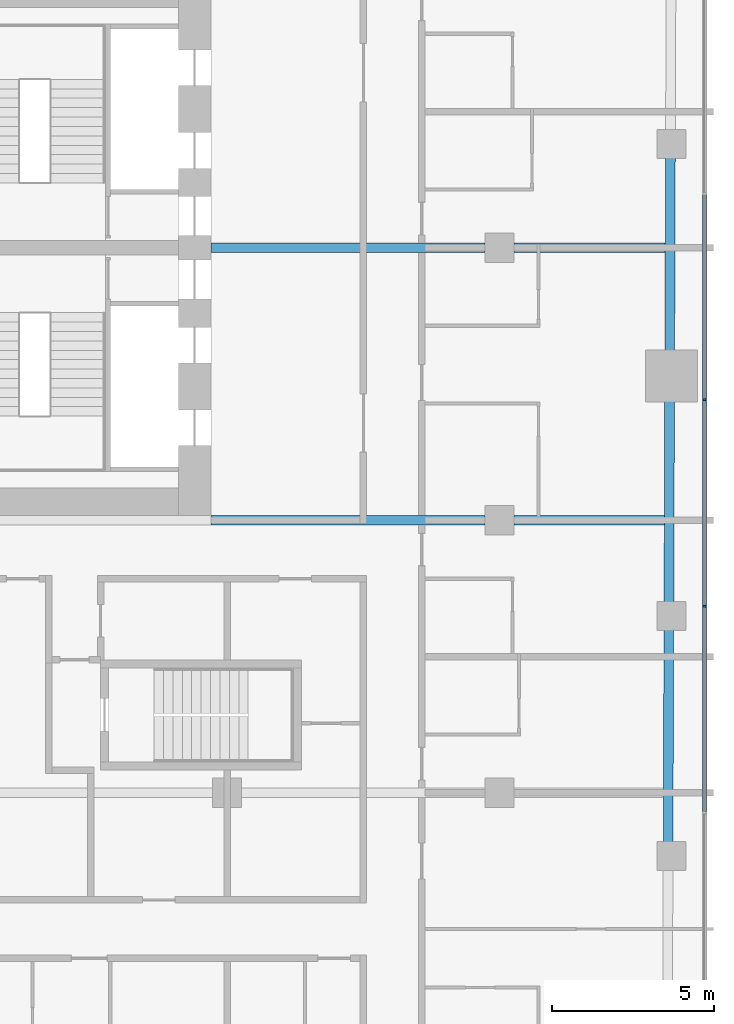
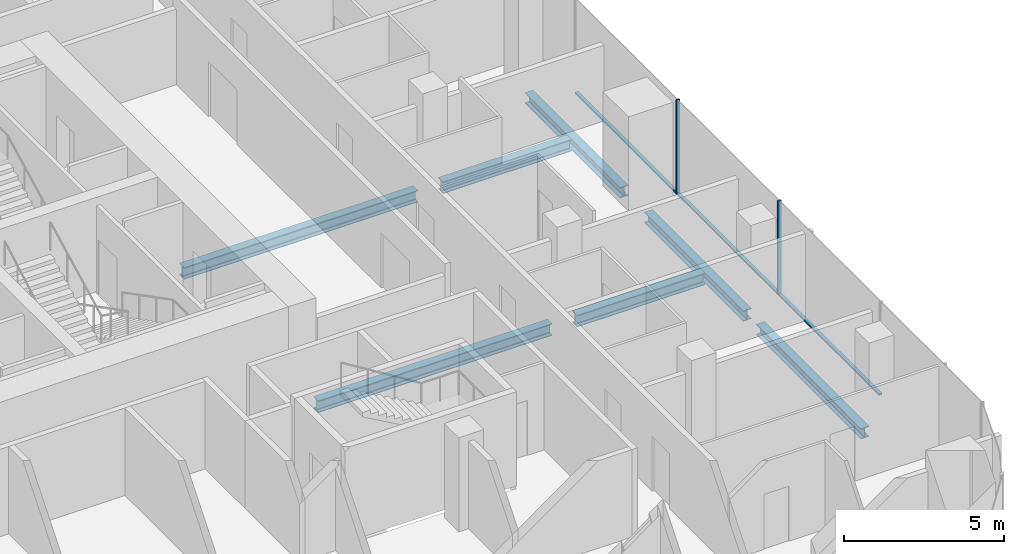
# One storey, part 7 of 23: 7 beams, 5 members, 1 element without a shape of its own.
"""IFC4 building model written with IfcOpenShell, lengths in metres."""

from ifc_helpers import new_model, si_unit, direction, frame, origin, origin_2d, place, context, subcontext, project, spatial, rectangle, i_section, extrude, material, layer, layer_set, material_profile, profile_set, type_object, element, aggregate, save


model = new_model("IFC4")

# Units and contexts
model_context = context("Model", 3, precision=1e-05, world=origin(), true_north=direction((0.0, 1.0)))
body_context = subcontext(model_context, "Body", "Model", "MODEL_VIEW")
ifc_project = project(units=[si_unit("LENGTHUNIT", "METRE"), si_unit("AREAUNIT", "SQUARE_METRE"), si_unit("VOLUMEUNIT", "CUBIC_METRE"), si_unit("PLANEANGLEUNIT", "RADIAN"), si_unit("MASSUNIT", "GRAM", prefix="KILO")], contexts=[model_context])

# Site, building, storey
site_placement = place(None, origin())
site = spatial("IfcSite", under=ifc_project, at=site_placement, CompositionType="ELEMENT")
building_placement = place(site_placement, origin())
building = spatial("IfcBuilding", under=site, at=building_placement, Name="Marenta Gate Hotel Tower", CompositionType="ELEMENT")
storey_placement = place(building_placement, frame((0.0, 0.0, 126.5)))
storey = spatial("IfcBuildingStorey", under=building, at=storey_placement, Name="L28", CompositionType="ELEMENT", Elevation=126.5)

# Beams
ifc_material_1 = material(Name="Steel S355", Category="steel")
ifc_material_profile_1 = material_profile(ifc_material_1, i_section(OverallWidth=0.300048828125, OverallDepth=0.39990234375, WebThickness=0.013427734375, FlangeThickness=0.02392578125, FilletRadius=0.027099609375, at=origin_2d()), Name="HEB 400")
ifc_profile_set_1 = profile_set([ifc_material_profile_1], Name="Steel S355")
beam_type_1 = type_object("IfcBeamType", Name="Edge beam HEB 400", PredefinedType="SPANDREL", material=ifc_profile_set_1)
beam_1_placement = place(storey_placement, frame((26.26416015625, 11.193115234375, -0.4599609375), z_axis=(-0.003305160059, -0.999994537944, 0.0), x_axis=(0.999994537944, -0.003305160059, 0.0)))
element("IfcBeam", 1, at=beam_1_placement, inside=storey, type_object=beam_type_1, Name="L28-EB-24", PredefinedType="SPANDREL", context=body_context, shape_type="SweptSolid", body=[
    extrude(i_section(OverallWidth=0.300048828125, OverallDepth=0.39990234375, WebThickness=0.013427734375, FlangeThickness=0.02392578125, FilletRadius=0.027099609375, at=origin_2d()), origin(), (0.0, 0.0, 1.0), 5.983154296875),
])
beam_2_placement = place(storey_placement, frame((26.2392578125, 3.68994140625, -0.4599609375), z_axis=(-0.003330441525, -0.999994454064, 0.0), x_axis=(0.999994454064, -0.003330441525, 0.0)))
element("IfcBeam", 2, at=beam_2_placement, inside=storey, type_object=beam_type_1, Name="L28-EB-25", PredefinedType="SPANDREL", context=body_context, shape_type="SweptSolid", body=[
    extrude(i_section(OverallWidth=0.300048828125, OverallDepth=0.39990234375, WebThickness=0.013427734375, FlangeThickness=0.02392578125, FilletRadius=0.027099609375, at=origin_2d()), origin(), (0.0, 0.0, 1.0), 6.23095703125),
])
beam_3_placement = place(storey_placement, frame((26.2158203125, -3.36083984375, -0.4599609375), z_axis=(-0.00333875569, -0.99999442634, 0.0), x_axis=(0.99999442634, -0.00333875569, 0.0)))
element("IfcBeam", 3, at=beam_3_placement, inside=storey, type_object=beam_type_1, Name="L28-EB-26", PredefinedType="SPANDREL", context=body_context, shape_type="SweptSolid", body=[
    extrude(i_section(OverallWidth=0.300048828125, OverallDepth=0.39990234375, WebThickness=0.013427734375, FlangeThickness=0.02392578125, FilletRadius=0.027099609375, at=origin_2d()), origin(), (0.0, 0.0, 1.0), 6.5810546875),
])
ifc_material_2 = material(Name="Steel S355", Category="steel")
ifc_material_profile_2 = material_profile(ifc_material_2, i_section(OverallWidth=0.300048828125, OverallDepth=0.449951171875, WebThickness=0.013916015625, FlangeThickness=0.02587890625, FilletRadius=0.027099609375, at=origin_2d()), Name="HEB 450")
ifc_profile_set_2 = profile_set([ifc_material_profile_2], Name="Steel S355")
beam_type_2 = type_object("IfcBeamType", Name="Girder HEB 450", PredefinedType="BEAM", material=ifc_profile_set_2)
beam_4_placement = place(storey_placement, frame((12.10009765625, 0.0, -0.485107421875), z_axis=(1.0, 0.0, 0.0), x_axis=(0.0, 1.0, 0.0)))
element("IfcBeam", 4, at=beam_4_placement, inside=storey, type_object=beam_type_2, Name="L28-GD-18", PredefinedType="BEAM", context=body_context, shape_type="SweptSolid", body=[
    extrude(i_section(OverallWidth=0.300048828125, OverallDepth=0.449951171875, WebThickness=0.013916015625, FlangeThickness=0.02587890625, FilletRadius=0.027099609375, at=origin_2d()), origin(), (0.0, 0.0, 1.0), 8.449951171875),
])
beam_5_placement = place(storey_placement, frame((21.449951171875, 0.0, -0.485107421875), z_axis=(1.0, 0.0, 0.0), x_axis=(0.0, 1.0, 0.0)))
element("IfcBeam", 5, at=beam_5_placement, inside=storey, type_object=beam_type_2, Name="L28-GD-19", PredefinedType="BEAM", context=body_context, shape_type="SweptSolid", body=[
    extrude(i_section(OverallWidth=0.300048828125, OverallDepth=0.449951171875, WebThickness=0.013916015625, FlangeThickness=0.02587890625, FilletRadius=0.027099609375, at=origin_2d()), origin(), (0.0, 0.0, 1.0), 4.626953125),
])
beam_6_placement = place(storey_placement, frame((12.10009765625, 8.39990234375, -0.485107421875), z_axis=(1.0, 0.0, 0.0), x_axis=(0.0, 1.0, 0.0)))
element("IfcBeam", 6, at=beam_6_placement, inside=storey, type_object=beam_type_2, Name="L28-GD-22", PredefinedType="BEAM", context=body_context, shape_type="SweptSolid", body=[
    extrude(i_section(OverallWidth=0.300048828125, OverallDepth=0.449951171875, WebThickness=0.013916015625, FlangeThickness=0.02587890625, FilletRadius=0.027099609375, at=origin_2d()), origin(), (0.0, 0.0, 1.0), 8.449951171875),
])
beam_7_placement = place(storey_placement, frame((21.449951171875, 8.39990234375, -0.485107421875), z_axis=(1.0, 0.0, 0.0), x_axis=(0.0, 1.0, 0.0)))
element("IfcBeam", 7, at=beam_7_placement, inside=storey, type_object=beam_type_2, Name="L28-GD-23", PredefinedType="BEAM", context=body_context, shape_type="SweptSolid", body=[
    extrude(i_section(OverallWidth=0.300048828125, OverallDepth=0.449951171875, WebThickness=0.013916015625, FlangeThickness=0.02587890625, FilletRadius=0.027099609375, at=origin_2d()), origin(), (0.0, 0.0, 1.0), 4.655029296875),
])

# Curtain wall, members
ifc_material_3 = material(Name="Tinted insulated glass in bronze anodised frame", Category="glass")
ifc_layer = layer(ifc_material_3, 0.1201171875)
ifc_layer_set = layer_set([ifc_layer], Name="Tinted insulated glass in bronze anodised frame")
curtain_wall_type = type_object("IfcCurtainWallType", Name="Tower unitised curtain wall CW1", PredefinedType="NOTDEFINED", material=ifc_layer_set)
curtain_wall_placement = place(storey_placement, origin())
curtain_wall = element("IfcCurtainWall", 8, at=curtain_wall_placement, inside=storey, type_object=curtain_wall_type, Name="CW1 run G11", PredefinedType="NOTDEFINED")
ifc_material_4 = material(Name="Bronze anodised aluminium", Category="aluminium")
ifc_material_profile_3 = material_profile(ifc_material_4, rectangle(XDim=0.1201171875, YDim=0.06005859375, at=origin_2d()), Name="Mullion CW1 60x120 bronze anodised aluminium")
ifc_profile_set_3 = profile_set([ifc_material_profile_3], Name="Bronze anodised aluminium")
member_type_1 = type_object("IfcMemberType", Name="Mullion CW1 60x120 bronze anodised aluminium", PredefinedType="MULLION", material=ifc_profile_set_3)
member_1_placement = place(storey_placement, frame((27.31396484375, -2.64794921875, 0.0), z_axis=(0.0, 0.0, 1.0), x_axis=(-1.0, 0.0, 0.0)))
member_1 = element("IfcMember", 9, at=member_1_placement, type_object=member_type_1, Name="CW1 mullion 3", PredefinedType="MULLION", context=body_context, shape_type="SweptSolid", body=[
    extrude(rectangle(XDim=0.1201171875, YDim=0.06005859375, at=origin_2d()), origin(), (0.0, 0.0, 1.0), 3.60009765625),
])
member_2_placement = place(storey_placement, frame((27.31396484375, 3.7119140625, 0.0), z_axis=(0.0, 0.0, 1.0), x_axis=(-1.0, 0.0, 0.0)))
member_2 = element("IfcMember", 10, at=member_2_placement, type_object=member_type_1, Name="CW1 mullion 4", PredefinedType="MULLION", context=body_context, shape_type="SweptSolid", body=[
    extrude(rectangle(XDim=0.1201171875, YDim=0.06005859375, at=origin_2d()), origin(), (0.0, 0.0, 1.0), 3.60009765625),
])
ifc_material_5 = material(Name="Bronze anodised aluminium", Category="aluminium")
ifc_material_profile_4 = material_profile(ifc_material_5, rectangle(XDim=0.1201171875, YDim=0.06005859375, at=origin_2d()), Name="Transom CW1 60x120 bronze anodised aluminium")
ifc_profile_set_4 = profile_set([ifc_material_profile_4], Name="Bronze anodised aluminium")
member_type_2 = type_object("IfcMemberType", Name="Transom CW1 60x120 bronze anodised aluminium", PredefinedType="USERDEFINED", material=ifc_profile_set_4)
member_3_placement = place(storey_placement, frame((27.31396484375, -8.97802734375, 0.030029296875), z_axis=(0.0, 1.0, 0.0), x_axis=(-1.0, 0.0, 0.0)))
member_3 = element("IfcMember", 11, at=member_3_placement, type_object=member_type_2, Name="CW1 transom 2.1", ObjectType="TRANSOM", PredefinedType="USERDEFINED", context=body_context, shape_type="SweptSolid", body=[
    extrude(rectangle(XDim=0.1201171875, YDim=0.06005859375, at=origin_2d()), origin(), (0.0, 0.0, 1.0), 6.300048828125),
])
member_4_placement = place(storey_placement, frame((27.31396484375, -2.617919921875, 0.030029296875), z_axis=(0.0, 1.0, 0.0), x_axis=(-1.0, 0.0, 0.0)))
member_4 = element("IfcMember", 12, at=member_4_placement, type_object=member_type_2, Name="CW1 transom 3.1", ObjectType="TRANSOM", PredefinedType="USERDEFINED", context=body_context, shape_type="SweptSolid", body=[
    extrude(rectangle(XDim=0.1201171875, YDim=0.06005859375, at=origin_2d()), origin(), (0.0, 0.0, 1.0), 6.2998046875),
])
member_5_placement = place(storey_placement, frame((27.31396484375, 3.741943359375, 0.030029296875), z_axis=(0.0, 1.0, 0.0), x_axis=(-1.0, 0.0, 0.0)))
member_5 = element("IfcMember", 13, at=member_5_placement, type_object=member_type_2, Name="CW1 transom 4.1", ObjectType="TRANSOM", PredefinedType="USERDEFINED", context=body_context, shape_type="SweptSolid", body=[
    extrude(rectangle(XDim=0.1201171875, YDim=0.06005859375, at=origin_2d()), origin(), (0.0, 0.0, 1.0), 6.300048828125),
])
aggregate(curtain_wall, [member_1, member_2, member_3, member_4, member_5])

save(model, "model.ifc")
